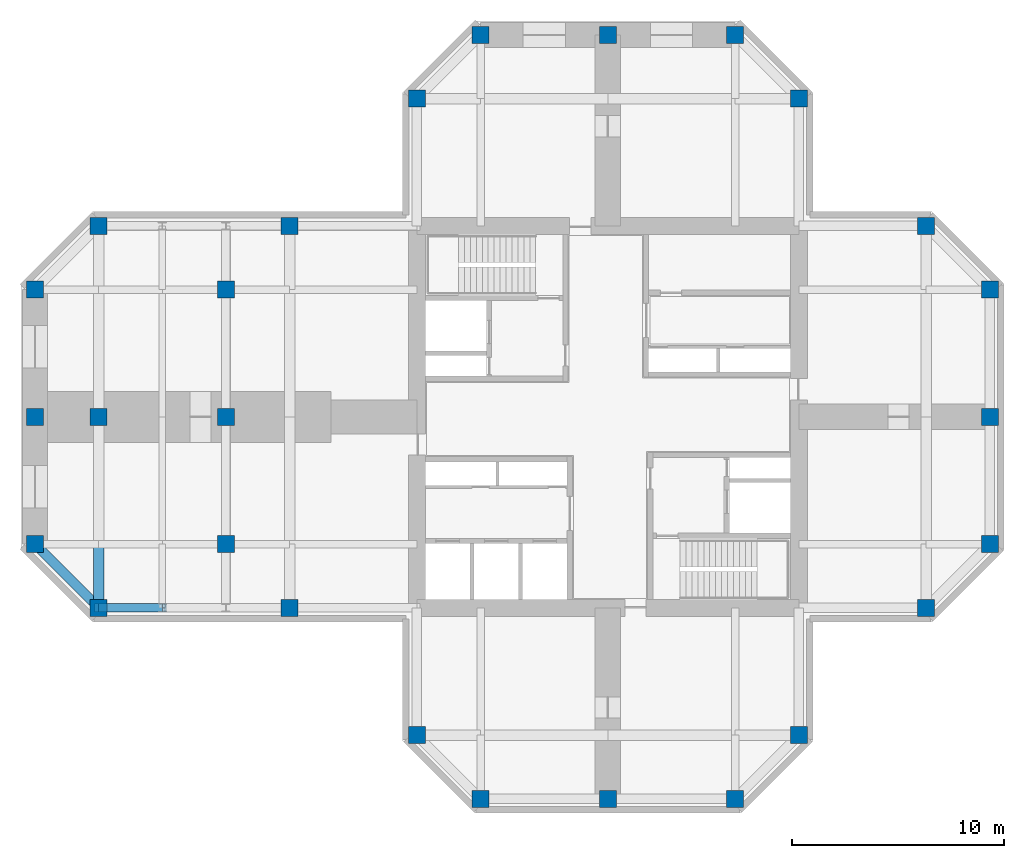
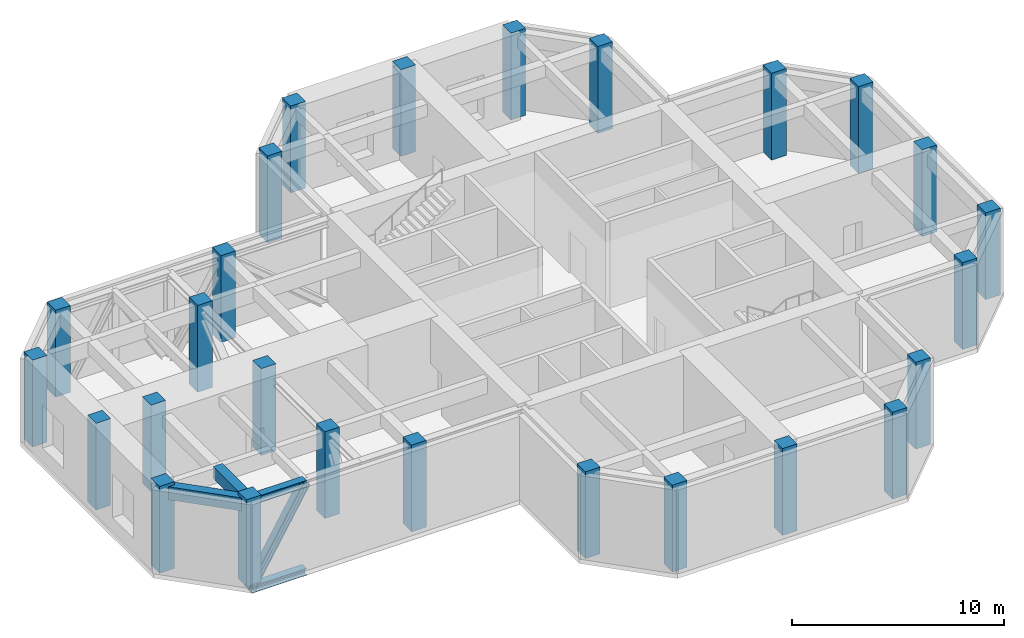
# One storey, part 1 of 6: 26 columns, 3 members, 2 beams.
"""IFC4 building model written with IfcOpenShell, lengths in metres."""

from ifc_helpers import new_model, si_unit, direction, frame, origin, origin_2d, place, context, subcontext, project, spatial, rectangle, i_section, extrude, material, material_profile, profile_set, type_object, element, save


model = new_model("IFC4")

# Units and contexts
model_context = context("Model", 3, precision=1e-05, world=origin(), true_north=direction((0.0, 1.0)))
body_context = subcontext(model_context, "Body", "Model", "MODEL_VIEW")
ifc_project = project(units=[si_unit("LENGTHUNIT", "METRE"), si_unit("AREAUNIT", "SQUARE_METRE"), si_unit("VOLUMEUNIT", "CUBIC_METRE"), si_unit("PLANEANGLEUNIT", "RADIAN"), si_unit("MASSUNIT", "GRAM", prefix="KILO")], contexts=[model_context])

# Site, building, storey
site_placement = place(None, origin())
site = spatial("IfcSite", under=ifc_project, at=site_placement, CompositionType="ELEMENT")
building_placement = place(site_placement, origin())
building = spatial("IfcBuilding", under=site, at=building_placement, Name="Torre Cruceta", CompositionType="ELEMENT")
storey_placement = place(building_placement, frame((0.0, 0.0, 252.699951171875)))
storey = spatial("IfcBuildingStorey", under=building, at=storey_placement, Name="L65", CompositionType="ELEMENT", Elevation=252.699951171875)

# Columns
ifc_material_1 = material(Name="Concrete G60 (fck 60 MPa)", Category="concrete")
ifc_material_profile_1 = material_profile(ifc_material_1, rectangle(XDim=0.800048828125, YDim=0.800048828125, at=origin_2d()), Name="RC 800X800")
ifc_profile_set_1 = profile_set([ifc_material_profile_1], Name="Concrete G60 (fck 60 MPa)")
column_type = type_object("IfcColumnType", Name="COLUMN RC 800X800", PredefinedType="COLUMN", material=ifc_profile_set_1)
for number, where, z_axis, x_axis, name in (
    (1, (9.0, 15.0, 0.0), (0.0, 0.0, 1.0), (1.0, 0.0, 0.0), "C7 L65 N chamfer"),
    (2, (-9.0, 15.0, 0.0), (0.0, 0.0, 1.0), (1.0, 0.0, 0.0), "C7 L65 N chamfer"),
    (3, (6.0, 18.0, 0.0), (0.0, 0.0, 1.0), (1.0, 0.0, 0.0), "C7 L65 N tip"),
    (4, (0.0, 18.0, 0.0), (0.0, 0.0, 1.0), (1.0, 0.0, 0.0), "C7 L65 N tip"),
    (5, (-6.0, 18.0, 0.0), (0.0, 0.0, 1.0), (1.0, 0.0, 0.0), "C7 L65 N tip"),
    (6, (15.0, -9.0, 0.0), (0.0, 0.0, 1.0), (1.0, 0.0, 0.0), "C7 L65 E chamfer"),
    (7, (15.0, 9.0, 0.0), (0.0, 0.0, 1.0), (1.0, 0.0, 0.0), "C7 L65 E chamfer"),
    (8, (18.0, -6.0, 0.0), (0.0, 0.0, 1.0), (1.0, 0.0, 0.0), "C7 L65 E tip"),
    (9, (18.0, 0.0, 0.0), (0.0, 0.0, 1.0), (1.0, 0.0, 0.0), "C7 L65 E tip"),
    (10, (18.0, 6.0, 0.0), (0.0, 0.0, 1.0), (1.0, 0.0, 0.0), "C7 L65 E tip"),
    (11, (-9.0, -15.0, 0.0), (0.0, 0.0, 1.0), (1.0, 0.0, 0.0), "C7 L65 S chamfer"),
    (12, (9.0, -15.0, 0.0), (0.0, 0.0, 1.0), (1.0, 0.0, 0.0), "C7 L65 S chamfer"),
    (13, (-6.0, -18.0, 0.0), (0.0, 0.0, 1.0), (1.0, 0.0, 0.0), "C7 L65 S tip"),
    (14, (0.0, -18.0, 0.0), (0.0, 0.0, 1.0), (1.0, 0.0, 0.0), "C7 L65 S tip"),
    (15, (6.0, -18.0, 0.0), (0.0, 0.0, 1.0), (1.0, 0.0, 0.0), "C7 L65 S tip"),
    (16, (-15.0, 9.0, 0.0), (0.0, 0.0, 1.0), (1.0, 0.0, 0.0), "C7 L65 W side"),
    (17, (-24.0, 9.0, 0.0), (0.0, 0.0, 1.0), (1.0, 0.0, 0.0), "C7 L65 W chamfer"),
    (18, (-15.0, -9.0, 0.0), (0.0, 0.0, 1.0), (1.0, 0.0, 0.0), "C7 L65 W side"),
    (19, (-24.0, -9.0, 0.0), (0.0, 0.0, 1.0), (1.0, 0.0, 0.0), "C7 L65 W chamfer"),
    (20, (-27.0, 6.0, 0.0), (0.0, 0.0, 1.0), (1.0, 0.0, 0.0), "C7 L65 W tip"),
    (21, (-27.0, 0.0, 0.0), (0.0, 0.0, 1.0), (1.0, 0.0, 0.0), "C7 L65 W tip"),
    (22, (-27.0, -6.0, 0.0), (0.0, 0.0, 1.0), (1.0, 0.0, 0.0), "C7 L65 W tip"),
    (23, (-18.0, 6.0, 0.0), (0.0, 0.0, 1.0), (1.0, 0.0, 0.0), "C7 L65 W interior"),
    (24, (-18.0, 0.0, 0.0), (0.0, 0.0, 1.0), (1.0, 0.0, 0.0), "C7 L65 W interior"),
    (25, (-18.0, -6.0, 0.0), (0.0, 0.0, 1.0), (1.0, 0.0, 0.0), "C7 L65 W interior"),
    (26, (-24.0, 0.0, 0.0), (0.0, 0.0, 1.0), (1.0, 0.0, 0.0), "C7 L65 W interior"),
):
    element("IfcColumn", number, at=place(storey_placement, frame(where, z_axis=z_axis, x_axis=x_axis)), inside=storey, type_object=column_type, Name=name, PredefinedType="COLUMN", context=body_context, shape_type="SweptSolid", body=[
        extrude(rectangle(XDim=0.800048828125, YDim=0.800048828125, at=origin_2d()), origin(), (0.0, 0.0, 1.0), 5.0),
    ])

# Members
ifc_material_2 = material(Name="Steel A913 Gr65", Category="steel")
ifc_material_profile_2 = material_profile(ifc_material_2, i_section(OverallWidth=0.4013671875, OverallDepth=0.398681640625, WebThickness=0.02490234375, FlangeThickness=0.03955078125, at=origin_2d()), Name="W14X211")
ifc_profile_set_2 = profile_set([ifc_material_profile_2], Name="Steel A913 Gr65")
member_type_1 = type_object("IfcMemberType", Name="BELT TRUSS CHORD 4 W14X211", PredefinedType="CHORD", material=ifc_profile_set_2)
for number, where, z_axis, x_axis, name in (
    (27, (-21.0, -9.0, -0.449462890625), (-1.0, 0.0, 0.0), (0.0, -1.0, 0.0), "Belt truss 4 S+B4"),
    (28, (-21.0, -9.0, 4.62060546875), (-1.0, 0.0, 0.0), (0.0, -1.0, 0.0), "Belt truss 4 S+T4"),
):
    element("IfcMember", number, at=place(storey_placement, frame(where, z_axis=z_axis, x_axis=x_axis)), inside=storey, type_object=member_type_1, Name=name, PredefinedType="CHORD", context=body_context, shape_type="SweptSolid", body=[
        extrude(i_section(OverallWidth=0.4013671875, OverallDepth=0.398681640625, WebThickness=0.02490234375, FlangeThickness=0.03955078125, at=origin_2d()), origin(), (0.0, 0.0, 1.0), 3.0),
    ])
ifc_material_3 = material(Name="Steel A913 Gr65", Category="steel")
ifc_material_profile_3 = material_profile(ifc_material_3, i_section(OverallWidth=0.41162109375, OverallDepth=0.434326171875, WebThickness=0.035888671875, FlangeThickness=0.057373046875, at=origin_2d()), Name="W14X311")
ifc_profile_set_3 = profile_set([ifc_material_profile_3], Name="Steel A913 Gr65")
member_type_2 = type_object("IfcMemberType", Name="BELT TRUSS DIAGONAL 4 W14X311", PredefinedType="BRACE", material=ifc_profile_set_3)
member_placement = place(storey_placement, frame((-24.0, -9.0, -0.449462890625), z_axis=(0.50923883856, 0.0, 0.860625240916), x_axis=(0.0, 1.0, 0.0)))
element("IfcMember", 29, at=member_placement, inside=storey, type_object=member_type_2, Name="Belt truss 4 S+D4", PredefinedType="BRACE", context=body_context, shape_type="SweptSolid", body=[
    extrude(i_section(OverallWidth=0.41162109375, OverallDepth=0.434326171875, WebThickness=0.035888671875, FlangeThickness=0.057373046875, at=origin_2d()), origin(), (0.0, 0.0, 1.0), 5.89111328125),
])

# Beams
ifc_material_4 = material(Name="Concrete G60 (fck 60 MPa)", Category="concrete")
ifc_material_profile_4 = material_profile(ifc_material_4, rectangle(XDim=0.5, YDim=0.699951171875, at=origin_2d()), Name="RC 500X700")
ifc_profile_set_4 = profile_set([ifc_material_profile_4], Name="Concrete G60 (fck 60 MPa)")
beam_type_1 = type_object("IfcBeamType", Name="CROSS BEAM RC 500X700", PredefinedType="BEAM", material=ifc_profile_set_4)
beam_1_placement = place(storey_placement, frame((-24.0, -6.0, 4.469970703125), z_axis=(0.0, -1.0, 0.0), x_axis=(1.0, 0.0, 0.0)))
element("IfcBeam", 30, at=beam_1_placement, inside=storey, type_object=beam_type_1, Name="GB7 L65 W cross24 4", PredefinedType="BEAM", context=body_context, shape_type="SweptSolid", body=[
    extrude(rectangle(XDim=0.5, YDim=0.699951171875, at=origin_2d()), origin(), (0.0, 0.0, 1.0), 3.0),
])
ifc_material_5 = material(Name="Concrete G60 (fck 60 MPa)", Category="concrete")
ifc_material_profile_5 = material_profile(ifc_material_5, rectangle(XDim=0.449951171875, YDim=0.75, at=origin_2d()), Name="RC 450X750")
ifc_profile_set_5 = profile_set([ifc_material_profile_5], Name="Concrete G60 (fck 60 MPa)")
beam_type_2 = type_object("IfcBeamType", Name="SPANDREL BEAM RC 450X750", PredefinedType="SPANDREL", material=ifc_profile_set_5)
beam_2_placement = place(storey_placement, frame((-24.0, -9.0, 4.445068359375), z_axis=(-0.707106781187, 0.707106781187, 0.0), x_axis=(-0.707106781187, -0.707106781187, 0.0)))
element("IfcBeam", 31, at=beam_2_placement, inside=storey, type_object=beam_type_2, Name="SB7 L65 W side+ 5", PredefinedType="SPANDREL", context=body_context, shape_type="SweptSolid", body=[
    extrude(rectangle(XDim=0.449951171875, YDim=0.75, at=origin_2d()), origin(), (0.0, 0.0, 1.0), 4.24267578125),
])

save(model, "model.ifc")
